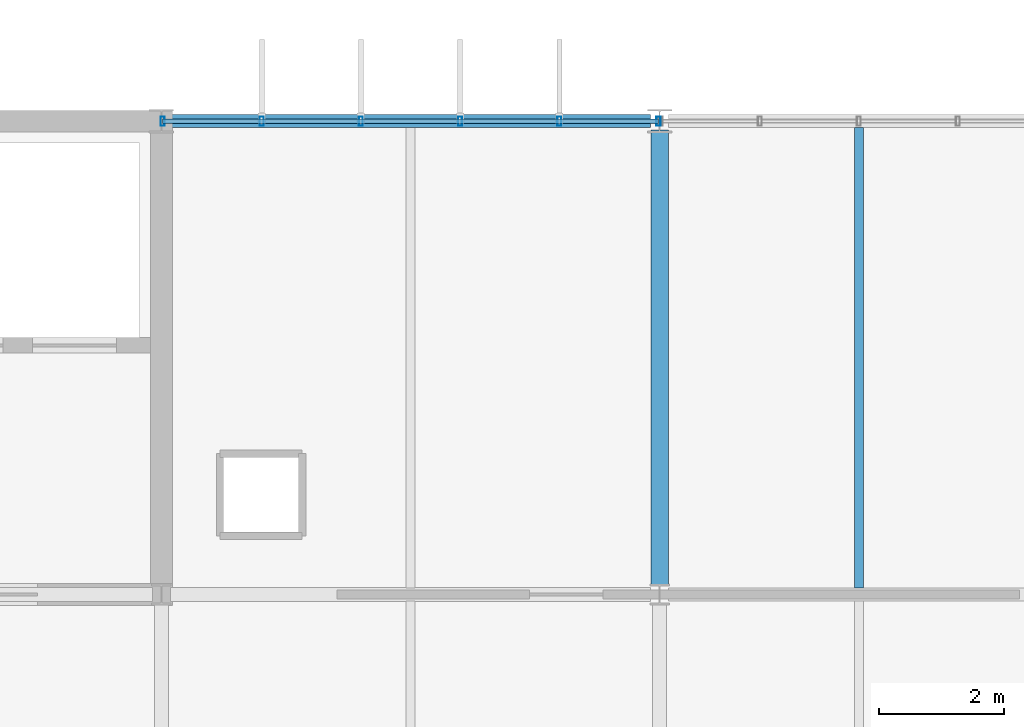
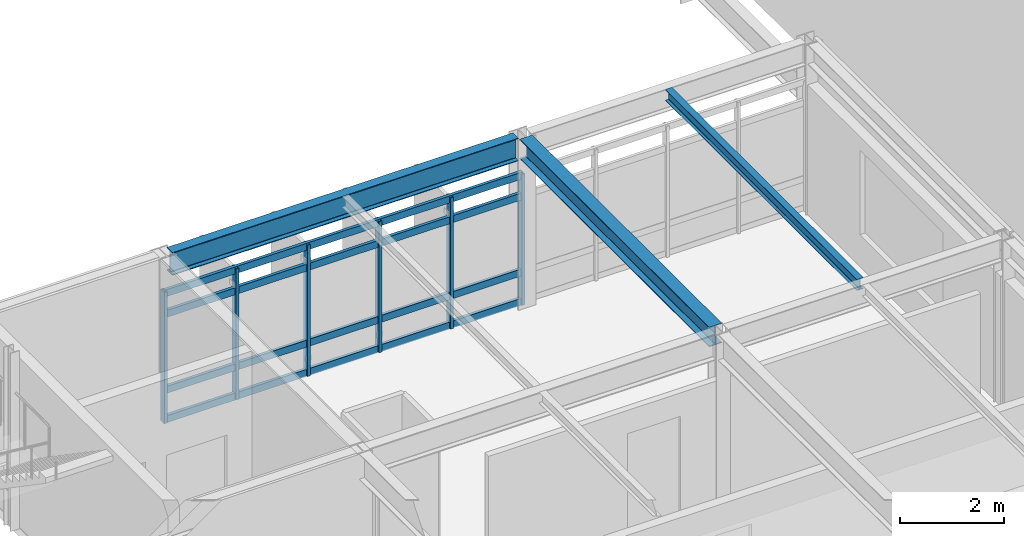
# One storey, part 29 of 85: 10 members, 3 beams, 1 element without a shape of its own.
"""IFC4 building model written with IfcOpenShell, lengths in metres."""

from ifc_helpers import new_model, si_unit, direction, frame, origin, origin_2d, place, context, subcontext, project, spatial, hollow_rectangle, i_section, extrude, material, material_profile, profile_set, type_object, element, aggregate, save


model = new_model("IFC4")

# Units and contexts
model_context = context("Model", 3, precision=1e-05, world=origin(), true_north=direction((0.0, 1.0)))
body_context = subcontext(model_context, "Body", "Model", "MODEL_VIEW")
ifc_project = project(units=[si_unit("LENGTHUNIT", "METRE"), si_unit("AREAUNIT", "SQUARE_METRE"), si_unit("VOLUMEUNIT", "CUBIC_METRE"), si_unit("PLANEANGLEUNIT", "RADIAN"), si_unit("MASSUNIT", "GRAM", prefix="KILO")], contexts=[model_context])

# Site, building, storey
site_placement = place(None, origin())
site = spatial("IfcSite", under=ifc_project, at=site_placement, CompositionType="ELEMENT")
building_placement = place(site_placement, origin())
building = spatial("IfcBuilding", under=site, at=building_placement, Name="Zulena Civic Courthouse", CompositionType="ELEMENT")
storey_placement = place(building_placement, frame((0.0, 0.0, 25.199951171875)))
storey = spatial("IfcBuildingStorey", under=building, at=storey_placement, Name="L05", CompositionType="ELEMENT", Elevation=25.199951171875)

# Curtain wall, members
ifc_material_1 = material(Name="Double-silver low-E laminated solar-control glass", Category="glass")
curtain_wall_type = type_object("IfcCurtainWallType", Name="CW_7964x3090", PredefinedType="USERDEFINED", material=ifc_material_1)
curtain_wall_placement = place(storey_placement, origin())
curtain_wall = element("IfcCurtainWall", 1, at=curtain_wall_placement, inside=storey, type_object=curtain_wall_type, Name="cw:V2:L05:1:6", ObjectType="UNITISED CURTAIN WALL", PredefinedType="USERDEFINED")
ifc_material_2 = material(Name="Bronze anodised thermally broken aluminium AA6063-T6", Category="aluminium")
ifc_material_profile_1 = material_profile(ifc_material_2, hollow_rectangle(XDim=0.06494140625, YDim=0.14990234375, WallThickness=0.00390625, at=origin_2d()), Name="CWM150X65X4")
ifc_profile_set_1 = profile_set([ifc_material_profile_1], Name="Bronze anodised thermally broken aluminium AA6063-T6")
member_type_1 = type_object("IfcMemberType", Name="CWMullion_150x65", PredefinedType="MULLION", material=ifc_profile_set_1)
member_1_placement = place(storey_placement, frame((52.01806640625, 22.800048828125, 0.0), z_axis=(0.0, 0.0, 1.0), x_axis=(1.0, 0.0, 0.0)))
member_1 = element("IfcMember", 2, at=member_1_placement, type_object=member_type_1, Name="cw:V2:L05:1:6:mull:0", PredefinedType="MULLION", context=body_context, shape_type="SweptSolid", body=[
    extrude(hollow_rectangle(XDim=0.06494140625, YDim=0.14990234375, WallThickness=0.00390625, at=origin_2d()), origin(), (0.0, 0.0, 1.0), 3.090087890625),
])
member_2_placement = place(storey_placement, frame((53.61083984375, 22.800048828125, 0.0), z_axis=(0.0, 0.0, 1.0), x_axis=(1.0, 0.0, 0.0)))
member_2 = element("IfcMember", 3, at=member_2_placement, type_object=member_type_1, Name="cw:V2:L05:1:6:mull:1", PredefinedType="MULLION", context=body_context, shape_type="SweptSolid", body=[
    extrude(hollow_rectangle(XDim=0.06494140625, YDim=0.14990234375, WallThickness=0.00390625, at=origin_2d()), origin(), (0.0, 0.0, 1.0), 3.090087890625),
])
member_3_placement = place(storey_placement, frame((55.20361328125, 22.800048828125, 0.0), z_axis=(0.0, 0.0, 1.0), x_axis=(1.0, 0.0, 0.0)))
member_3 = element("IfcMember", 4, at=member_3_placement, type_object=member_type_1, Name="cw:V2:L05:1:6:mull:2", PredefinedType="MULLION", context=body_context, shape_type="SweptSolid", body=[
    extrude(hollow_rectangle(XDim=0.06494140625, YDim=0.14990234375, WallThickness=0.00390625, at=origin_2d()), origin(), (0.0, 0.0, 1.0), 3.090087890625),
])
member_4_placement = place(storey_placement, frame((56.79638671875, 22.800048828125, 0.0), z_axis=(0.0, 0.0, 1.0), x_axis=(1.0, 0.0, 0.0)))
member_4 = element("IfcMember", 5, at=member_4_placement, type_object=member_type_1, Name="cw:V2:L05:1:6:mull:3", PredefinedType="MULLION", context=body_context, shape_type="SweptSolid", body=[
    extrude(hollow_rectangle(XDim=0.06494140625, YDim=0.14990234375, WallThickness=0.00390625, at=origin_2d()), origin(), (0.0, 0.0, 1.0), 3.090087890625),
])
member_5_placement = place(storey_placement, frame((58.38916015625, 22.800048828125, 0.0), z_axis=(0.0, 0.0, 1.0), x_axis=(1.0, 0.0, 0.0)))
member_5 = element("IfcMember", 6, at=member_5_placement, type_object=member_type_1, Name="cw:V2:L05:1:6:mull:4", PredefinedType="MULLION", context=body_context, shape_type="SweptSolid", body=[
    extrude(hollow_rectangle(XDim=0.06494140625, YDim=0.14990234375, WallThickness=0.00390625, at=origin_2d()), origin(), (0.0, 0.0, 1.0), 3.090087890625),
])
member_6_placement = place(storey_placement, frame((59.98193359375, 22.800048828125, 0.0), z_axis=(0.0, 0.0, 1.0), x_axis=(1.0, 0.0, 0.0)))
member_6 = element("IfcMember", 7, at=member_6_placement, type_object=member_type_1, Name="cw:V2:L05:1:6:mull:5", PredefinedType="MULLION", context=body_context, shape_type="SweptSolid", body=[
    extrude(hollow_rectangle(XDim=0.06494140625, YDim=0.14990234375, WallThickness=0.00390625, at=origin_2d()), origin(), (0.0, 0.0, 1.0), 3.090087890625),
])
ifc_material_profile_2 = material_profile(ifc_material_2, hollow_rectangle(XDim=0.070068359375, YDim=0.1650390625, WallThickness=0.00390625, at=origin_2d()), Name="CWT165X70X4")
ifc_profile_set_2 = profile_set([ifc_material_profile_2], Name="Bronze anodised thermally broken aluminium AA6063-T6")
member_type_2 = type_object("IfcMemberType", Name="CWTransom_165x70", PredefinedType="USERDEFINED", material=ifc_profile_set_2)
member_7_placement = place(storey_placement, frame((52.01806640625, 22.800048828125, 0.06005859375), z_axis=(1.0, 0.0, 0.0), x_axis=(0.0, 1.0, 0.0)))
member_7 = element("IfcMember", 8, at=member_7_placement, type_object=member_type_2, Name="cw:V2:L05:1:6:tran:0", ObjectType="TRANSOM", PredefinedType="USERDEFINED", context=body_context, shape_type="SweptSolid", body=[
    extrude(hollow_rectangle(XDim=0.070068359375, YDim=0.1650390625, WallThickness=0.00390625, at=origin_2d()), origin(), (0.0, 0.0, 1.0), 7.9638671875),
])
member_8_placement = place(storey_placement, frame((52.01806640625, 22.800048828125, 0.75), z_axis=(1.0, 0.0, 0.0), x_axis=(0.0, 1.0, 0.0)))
member_8 = element("IfcMember", 9, at=member_8_placement, type_object=member_type_2, Name="cw:V2:L05:1:6:tran:1", ObjectType="TRANSOM", PredefinedType="USERDEFINED", context=body_context, shape_type="SweptSolid", body=[
    extrude(hollow_rectangle(XDim=0.070068359375, YDim=0.1650390625, WallThickness=0.00390625, at=origin_2d()), origin(), (0.0, 0.0, 1.0), 7.9638671875),
])
member_9_placement = place(storey_placement, frame((52.01806640625, 22.800048828125, 2.5400390625), z_axis=(1.0, 0.0, 0.0), x_axis=(0.0, 1.0, 0.0)))
member_9 = element("IfcMember", 10, at=member_9_placement, type_object=member_type_2, Name="cw:V2:L05:1:6:tran:2", ObjectType="TRANSOM", PredefinedType="USERDEFINED", context=body_context, shape_type="SweptSolid", body=[
    extrude(hollow_rectangle(XDim=0.070068359375, YDim=0.1650390625, WallThickness=0.00390625, at=origin_2d()), origin(), (0.0, 0.0, 1.0), 7.9638671875),
])
member_10_placement = place(storey_placement, frame((52.01806640625, 22.800048828125, 3.030029296875), z_axis=(1.0, 0.0, 0.0), x_axis=(0.0, 1.0, 0.0)))
member_10 = element("IfcMember", 11, at=member_10_placement, type_object=member_type_2, Name="cw:V2:L05:1:6:tran:3", ObjectType="TRANSOM", PredefinedType="USERDEFINED", context=body_context, shape_type="SweptSolid", body=[
    extrude(hollow_rectangle(XDim=0.070068359375, YDim=0.1650390625, WallThickness=0.00390625, at=origin_2d()), origin(), (0.0, 0.0, 1.0), 7.9638671875),
])
aggregate(curtain_wall, [member_1, member_2, member_3, member_4, member_5, member_6, member_7, member_8, member_9, member_10])

# Beams
ifc_material_3 = material(Name="Steel ASTM A992 Grade 50", Category="steel")
ifc_material_profile_3 = material_profile(ifc_material_3, i_section(OverallWidth=0.14599609375, OverallDepth=0.258056640625, WebThickness=0.006103515625, FlangeThickness=0.009033203125, FilletRadius=0.007568359375, at=origin_2d()), Name="W10X22")
ifc_profile_set_3 = profile_set([ifc_material_profile_3], Name="Steel ASTM A992 Grade 50")
beam_type_1 = type_object("IfcBeamType", Name="Joist_W10X22", PredefinedType="JOIST", material=ifc_profile_set_3)
beam_1_placement = place(storey_placement, frame((63.199951171875, 15.304931640625, 3.865966796875), z_axis=(0.0, 1.0, 0.0), x_axis=(-1.0, 0.0, 0.0)))
element("IfcBeam", 12, at=beam_1_placement, inside=storey, type_object=beam_type_1, Name="joist:V2:L05:63.20:15.2_22.8", PredefinedType="JOIST", context=body_context, shape_type="SweptSolid", body=[
    extrude(i_section(OverallWidth=0.14599609375, OverallDepth=0.258056640625, WebThickness=0.006103515625, FlangeThickness=0.009033203125, FilletRadius=0.007568359375, at=origin_2d()), origin(), (0.0, 0.0, 1.0), 7.39013671875),
])
ifc_material_profile_4 = material_profile(ifc_material_3, i_section(OverallWidth=0.280029296875, OverallDepth=0.462890625, WebThickness=0.0107421875, FlangeThickness=0.017333984375, FilletRadius=0.01025390625, at=origin_2d()), Name="W18X76")
ifc_profile_set_4 = profile_set([ifc_material_profile_4], Name="Steel ASTM A992 Grade 50")
beam_type_2 = type_object("IfcBeamType", Name="Spandrel_W18X76", PredefinedType="SPANDREL", material=ifc_profile_set_4)
beam_2_placement = place(storey_placement, frame((60.0, 15.344970703125, 3.763427734375), z_axis=(0.0, 1.0, 0.0), x_axis=(-1.0, 0.0, 0.0)))
element("IfcBeam", 13, at=beam_2_placement, inside=storey, type_object=beam_type_2, Name="beam:Y:V2:L05:60.0:15.2_22.8", PredefinedType="SPANDREL", context=body_context, shape_type="SweptSolid", body=[
    extrude(i_section(OverallWidth=0.280029296875, OverallDepth=0.462890625, WebThickness=0.0107421875, FlangeThickness=0.017333984375, FilletRadius=0.01025390625, at=origin_2d()), origin(), (0.0, 0.0, 1.0), 7.31005859375),
])
ifc_material_profile_5 = material_profile(ifc_material_3, i_section(OverallWidth=0.2099609375, OverallDepth=0.537109375, WebThickness=0.010986328125, FlangeThickness=0.017333984375, FilletRadius=0.0126953125, at=origin_2d()), Name="W21X68")
ifc_profile_set_5 = profile_set([ifc_material_profile_5], Name="Steel ASTM A992 Grade 50")
beam_type_3 = type_object("IfcBeamType", Name="Spandrel_W21X68", PredefinedType="SPANDREL", material=ifc_profile_set_5)
beam_3_placement = place(storey_placement, frame((52.14501953125, 22.800048828125, 3.7265625), z_axis=(1.0, 0.0, 0.0), x_axis=(0.0, 1.0, 0.0)))
element("IfcBeam", 14, at=beam_3_placement, inside=storey, type_object=beam_type_3, Name="beam:X:V2:L05:22.8:52.0_60.0", PredefinedType="SPANDREL", context=body_context, shape_type="SweptSolid", body=[
    extrude(i_section(OverallWidth=0.2099609375, OverallDepth=0.537109375, WebThickness=0.010986328125, FlangeThickness=0.017333984375, FilletRadius=0.0126953125, at=origin_2d()), origin(), (0.0, 0.0, 1.0), 7.7099609375),
])

save(model, "model.ifc")
